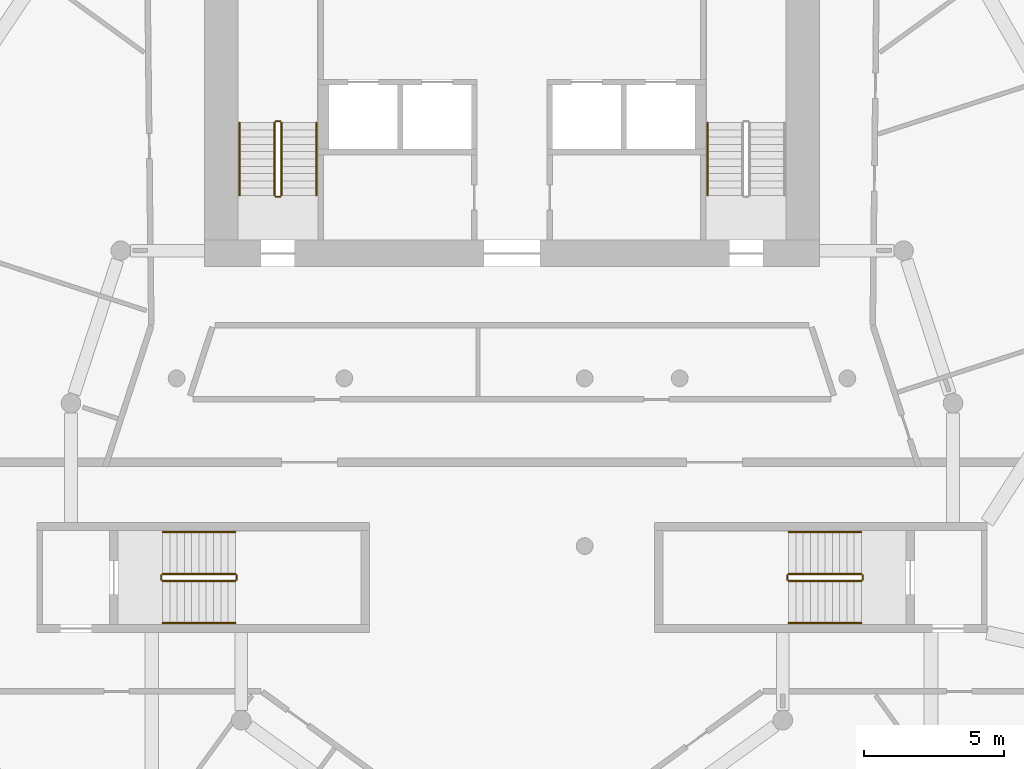
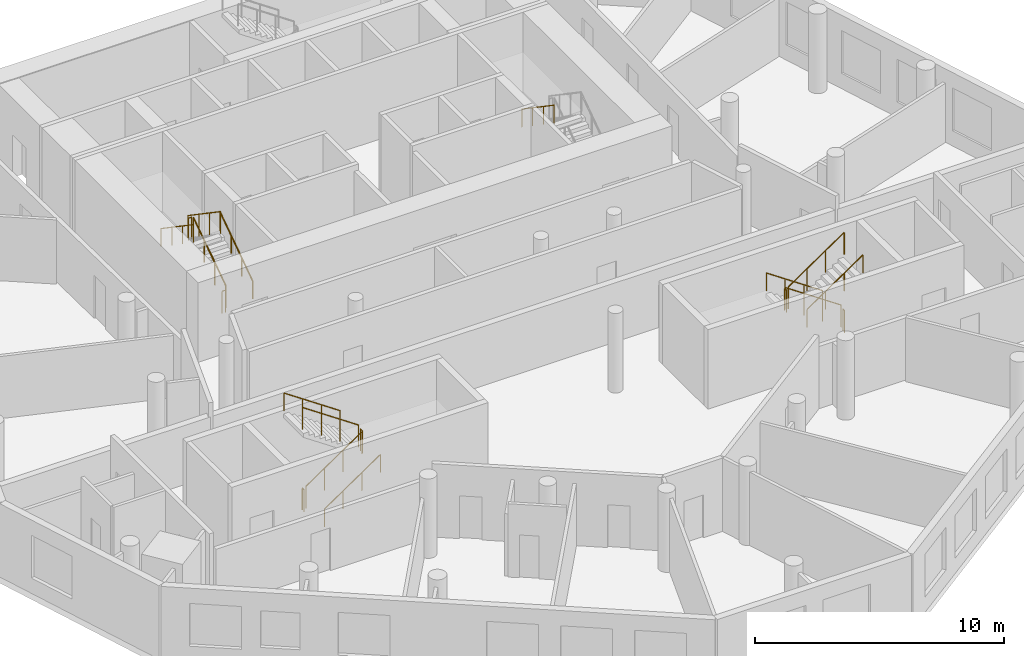
# One storey, part 7 of 8: 19 railings.
"""IFC4 building model written with IfcOpenShell, lengths in metres."""

from ifc_helpers import new_model, si_unit, direction, frame, origin, origin_2d, place, context, subcontext, project, spatial, circle, extrude, material, type_object, element, save


model = new_model("IFC4")

# Units and contexts
model_context = context("Model", 3, precision=1e-05, world=origin(), true_north=direction((0.0, 1.0)))
body_context = subcontext(model_context, "Body", "Model", "MODEL_VIEW")
ifc_project = project(units=[si_unit("LENGTHUNIT", "METRE"), si_unit("AREAUNIT", "SQUARE_METRE"), si_unit("VOLUMEUNIT", "CUBIC_METRE"), si_unit("PLANEANGLEUNIT", "RADIAN"), si_unit("MASSUNIT", "GRAM", prefix="KILO")], contexts=[model_context])

# Site, building, storey
site_placement = place(None, origin())
site = spatial("IfcSite", under=ifc_project, at=site_placement, CompositionType="ELEMENT")
building_placement = place(site_placement, origin())
building = spatial("IfcBuilding", under=site, at=building_placement, Name="White Candle Pilgrim Tower", CompositionType="ELEMENT")
storey_placement = place(building_placement, frame((0.0, 0.0, 152.5)))
storey = spatial("IfcBuildingStorey", under=building, at=storey_placement, Name="L34", CompositionType="ELEMENT", Elevation=152.5)

# Railings
ifc_material = material(Name="Stainless steel", Category="steel")
railing_type_1 = type_object("IfcRailingType", Name="Stair guard stainless steel 1100 mm", PredefinedType="GUARDRAIL", material=ifc_material)
railing_1_placement = place(storey_placement, frame((61.75, 73.550048828125, 0.17724609375)))
element("IfcRailing", 1, at=railing_1_placement, inside=storey, type_object=railing_type_1, Name="L34 ST1 stair guard 1", PredefinedType="GUARDRAIL", context=body_context, shape_type="SweptSolid", body=[
    extrude(circle(Radius=0.02392578125, at=origin_2d()), frame((0.0, 0.0, 1.076171875), z_axis=(0.0, 0.826215852431, 0.563353676824), x_axis=(-1.0, 0.0, 0.0)), (0.0, 0.0, 1.0), 3.146728515625),
    extrude(circle(Radius=0.02099609375, at=origin_2d()), origin(), (0.0, 0.0, 1.0), 1.052001953125),
    extrude(circle(Radius=0.02099609375, at=origin_2d()), frame((0.0, 0.86669921875, 0.5908203125)), (0.0, 0.0, 1.0), 1.052001953125),
    extrude(circle(Radius=0.02099609375, at=origin_2d()), frame((0.0, 1.733154296875, 1.181884765625)), (0.0, 0.0, 1.0), 1.052001953125),
    extrude(circle(Radius=0.02099609375, at=origin_2d()), frame((0.0, 2.599853515625, 1.772705078125)), (0.0, 0.0, 1.0), 1.052001953125),
])
railing_2_placement = place(storey_placement, frame((61.699951171875, 76.199951171875, 1.949951171875)))
element("IfcRailing", 2, at=railing_2_placement, inside=storey, type_object=railing_type_1, Name="L34 ST1 stair guard 2", PredefinedType="GUARDRAIL", context=body_context, shape_type="SweptSolid", body=[
    extrude(circle(Radius=0.02392578125, at=origin_2d()), frame((0.0, 0.0, 1.076171875), z_axis=(-1.0, 0.0, 0.0), x_axis=(0.0, -1.0, 0.0)), (0.0, 0.0, 1.0), 0.14990234375),
    extrude(circle(Radius=0.02099609375, at=origin_2d()), origin(), (0.0, 0.0, 1.0), 1.052001953125),
    extrude(circle(Radius=0.02099609375, at=origin_2d()), frame((-0.14990234375, 0.0, 0.0)), (0.0, 0.0, 1.0), 1.052001953125),
])
railing_3_placement = place(storey_placement, frame((61.5, 76.14990234375, 2.127197265625)))
element("IfcRailing", 3, at=railing_3_placement, inside=storey, type_object=railing_type_1, Name="L34 ST1 stair guard 3", PredefinedType="GUARDRAIL", context=body_context, shape_type="SweptSolid", body=[
    extrude(circle(Radius=0.02392578125, at=origin_2d()), frame((0.0, 0.0, 1.076171875), z_axis=(0.0, -0.826215852431, 0.563353676824), x_axis=(1.0, 0.0, 0.0)), (0.0, 0.0, 1.0), 3.146728515625),
    extrude(circle(Radius=0.02099609375, at=origin_2d()), origin(), (0.0, 0.0, 1.0), 1.052001953125),
    extrude(circle(Radius=0.02099609375, at=origin_2d()), frame((0.0, -0.86669921875, 0.5908203125)), (0.0, 0.0, 1.0), 1.052001953125),
    extrude(circle(Radius=0.02099609375, at=origin_2d()), frame((0.0, -1.733154296875, 1.181884765625)), (0.0, 0.0, 1.0), 1.052001953125),
    extrude(circle(Radius=0.02099609375, at=origin_2d()), frame((0.0, -2.599853515625, 1.772705078125)), (0.0, 0.0, 1.0), 1.052001953125),
])
railing_4_placement = place(storey_placement, frame((61.699951171875, 73.5, 0.0)))
element("IfcRailing", 4, at=railing_4_placement, inside=storey, type_object=railing_type_1, Name="L34 ST1 stair guard 4", PredefinedType="GUARDRAIL", context=body_context, shape_type="SweptSolid", body=[
    extrude(circle(Radius=0.02392578125, at=origin_2d()), frame((0.0, 0.0, 1.076171875), z_axis=(-1.0, 0.0, 0.0), x_axis=(0.0, -1.0, 0.0)), (0.0, 0.0, 1.0), 0.14990234375),
    extrude(circle(Radius=0.02099609375, at=origin_2d()), origin(), (0.0, 0.0, 1.0), 1.052001953125),
    extrude(circle(Radius=0.02099609375, at=origin_2d()), frame((-0.14990234375, 0.0, 0.0)), (0.0, 0.0, 1.0), 1.052001953125),
])
railing_5_placement = place(storey_placement, frame((82.5, 60.0, 0.17724609375)))
element("IfcRailing", 5, at=railing_5_placement, inside=storey, type_object=railing_type_1, Name="L34 ST4 stair guard 1", PredefinedType="GUARDRAIL", context=body_context, shape_type="SweptSolid", body=[
    extrude(circle(Radius=0.02392578125, at=origin_2d()), frame((0.0, 0.0, 1.076171875), z_axis=(-0.826240473404, 0.0, 0.563317565952), x_axis=(0.0, -1.0, 0.0)), (0.0, 0.0, 1.0), 3.14697265625),
    extrude(circle(Radius=0.02099609375, at=origin_2d()), origin(), (0.0, 0.0, 1.0), 1.052001953125),
    extrude(circle(Radius=0.02099609375, at=origin_2d()), frame((-0.86669921875, 0.0, 0.5908203125)), (0.0, 0.0, 1.0), 1.052001953125),
    extrude(circle(Radius=0.02099609375, at=origin_2d()), frame((-1.7333984375, 0.0, 1.181884765625)), (0.0, 0.0, 1.0), 1.052001953125),
    extrude(circle(Radius=0.02099609375, at=origin_2d()), frame((-2.60009765625, 0.0, 1.772705078125)), (0.0, 0.0, 1.0), 1.052001953125),
])
railing_6_placement = place(storey_placement, frame((79.85009765625, 59.949951171875, 1.949951171875)))
element("IfcRailing", 6, at=railing_6_placement, inside=storey, type_object=railing_type_1, Name="L34 ST4 stair guard 2", PredefinedType="GUARDRAIL", context=body_context, shape_type="SweptSolid", body=[
    extrude(circle(Radius=0.02392578125, at=origin_2d()), frame((0.0, 0.0, 1.076171875), z_axis=(0.0, -1.0, 0.0), x_axis=(1.0, 0.0, 0.0)), (0.0, 0.0, 1.0), 0.14990234375),
    extrude(circle(Radius=0.02099609375, at=origin_2d()), origin(), (0.0, 0.0, 1.0), 1.052001953125),
    extrude(circle(Radius=0.02099609375, at=origin_2d()), frame((0.0, -0.14990234375, 0.0)), (0.0, 0.0, 1.0), 1.052001953125),
])
railing_7_placement = place(storey_placement, frame((79.89990234375, 59.75, 2.127197265625)))
element("IfcRailing", 7, at=railing_7_placement, inside=storey, type_object=railing_type_1, Name="L34 ST4 stair guard 3", PredefinedType="GUARDRAIL", context=body_context, shape_type="SweptSolid", body=[
    extrude(circle(Radius=0.02392578125, at=origin_2d()), frame((0.0, 0.0, 1.076171875), z_axis=(0.826240473404, 0.0, 0.563317565952), x_axis=(0.0, 1.0, 0.0)), (0.0, 0.0, 1.0), 3.14697265625),
    extrude(circle(Radius=0.02099609375, at=origin_2d()), origin(), (0.0, 0.0, 1.0), 1.052001953125),
    extrude(circle(Radius=0.02099609375, at=origin_2d()), frame((0.86669921875, 0.0, 0.5908203125)), (0.0, 0.0, 1.0), 1.052001953125),
    extrude(circle(Radius=0.02099609375, at=origin_2d()), frame((1.7333984375, 0.0, 1.181884765625)), (0.0, 0.0, 1.0), 1.052001953125),
    extrude(circle(Radius=0.02099609375, at=origin_2d()), frame((2.60009765625, 0.0, 1.772705078125)), (0.0, 0.0, 1.0), 1.052001953125),
])
railing_8_placement = place(storey_placement, frame((82.550048828125, 59.949951171875, 0.0)))
element("IfcRailing", 8, at=railing_8_placement, inside=storey, type_object=railing_type_1, Name="L34 ST4 stair guard 4", PredefinedType="GUARDRAIL", context=body_context, shape_type="SweptSolid", body=[
    extrude(circle(Radius=0.02392578125, at=origin_2d()), frame((0.0, 0.0, 1.076171875), z_axis=(0.0, -1.0, 0.0), x_axis=(1.0, 0.0, 0.0)), (0.0, 0.0, 1.0), 0.14990234375),
    extrude(circle(Radius=0.02099609375, at=origin_2d()), origin(), (0.0, 0.0, 1.0), 1.052001953125),
    extrude(circle(Radius=0.02099609375, at=origin_2d()), frame((0.0, -0.14990234375, 0.0)), (0.0, 0.0, 1.0), 1.052001953125),
])
railing_9_placement = place(storey_placement, frame((57.5, 59.75, 0.17724609375)))
element("IfcRailing", 9, at=railing_9_placement, inside=storey, type_object=railing_type_1, Name="L34 ST5 stair guard 1", PredefinedType="GUARDRAIL", context=body_context, shape_type="SweptSolid", body=[
    extrude(circle(Radius=0.02392578125, at=origin_2d()), frame((0.0, 0.0, 1.076171875), z_axis=(0.826240473404, 0.0, 0.563317565952), x_axis=(0.0, 1.0, 0.0)), (0.0, 0.0, 1.0), 3.14697265625),
    extrude(circle(Radius=0.02099609375, at=origin_2d()), origin(), (0.0, 0.0, 1.0), 1.052001953125),
    extrude(circle(Radius=0.02099609375, at=origin_2d()), frame((0.86669921875, 0.0, 0.5908203125)), (0.0, 0.0, 1.0), 1.052001953125),
    extrude(circle(Radius=0.02099609375, at=origin_2d()), frame((1.7333984375, 0.0, 1.181884765625)), (0.0, 0.0, 1.0), 1.052001953125),
    extrude(circle(Radius=0.02099609375, at=origin_2d()), frame((2.60009765625, 0.0, 1.772705078125)), (0.0, 0.0, 1.0), 1.052001953125),
])
railing_10_placement = place(storey_placement, frame((60.14990234375, 59.800048828125, 1.949951171875)))
element("IfcRailing", 10, at=railing_10_placement, inside=storey, type_object=railing_type_1, Name="L34 ST5 stair guard 2", PredefinedType="GUARDRAIL", context=body_context, shape_type="SweptSolid", body=[
    extrude(circle(Radius=0.02392578125, at=origin_2d()), frame((0.0, 0.0, 1.076171875), z_axis=(0.0, 1.0, 0.0), x_axis=(-1.0, 0.0, 0.0)), (0.0, 0.0, 1.0), 0.14990234375),
    extrude(circle(Radius=0.02099609375, at=origin_2d()), origin(), (0.0, 0.0, 1.0), 1.052001953125),
    extrude(circle(Radius=0.02099609375, at=origin_2d()), frame((0.0, 0.14990234375, 0.0)), (0.0, 0.0, 1.0), 1.052001953125),
])
railing_11_placement = place(storey_placement, frame((60.10009765625, 60.0, 2.127197265625)))
element("IfcRailing", 11, at=railing_11_placement, inside=storey, type_object=railing_type_1, Name="L34 ST5 stair guard 3", PredefinedType="GUARDRAIL", context=body_context, shape_type="SweptSolid", body=[
    extrude(circle(Radius=0.02392578125, at=origin_2d()), frame((0.0, 0.0, 1.076171875), z_axis=(-0.826240473404, 0.0, 0.563317565952), x_axis=(0.0, -1.0, 0.0)), (0.0, 0.0, 1.0), 3.14697265625),
    extrude(circle(Radius=0.02099609375, at=origin_2d()), origin(), (0.0, 0.0, 1.0), 1.052001953125),
    extrude(circle(Radius=0.02099609375, at=origin_2d()), frame((-0.86669921875, 0.0, 0.5908203125)), (0.0, 0.0, 1.0), 1.052001953125),
    extrude(circle(Radius=0.02099609375, at=origin_2d()), frame((-1.7333984375, 0.0, 1.181884765625)), (0.0, 0.0, 1.0), 1.052001953125),
    extrude(circle(Radius=0.02099609375, at=origin_2d()), frame((-2.60009765625, 0.0, 1.772705078125)), (0.0, 0.0, 1.0), 1.052001953125),
])
railing_12_placement = place(storey_placement, frame((57.449951171875, 59.800048828125, 0.0)))
element("IfcRailing", 12, at=railing_12_placement, inside=storey, type_object=railing_type_1, Name="L34 ST5 stair guard 4", PredefinedType="GUARDRAIL", context=body_context, shape_type="SweptSolid", body=[
    extrude(circle(Radius=0.02392578125, at=origin_2d()), frame((0.0, 0.0, 1.076171875), z_axis=(0.0, 1.0, 0.0), x_axis=(-1.0, 0.0, 0.0)), (0.0, 0.0, 1.0), 0.14990234375),
    extrude(circle(Radius=0.02099609375, at=origin_2d()), origin(), (0.0, 0.0, 1.0), 1.052001953125),
    extrude(circle(Radius=0.02099609375, at=origin_2d()), frame((0.0, 0.14990234375, 0.0)), (0.0, 0.0, 1.0), 1.052001953125),
])
railing_type_2 = type_object("IfcRailingType", Name="Stair handrail stainless steel", PredefinedType="HANDRAIL", material=ifc_material)
railing_13_placement = place(storey_placement, frame((63.0, 73.550048828125, 0.17724609375)))
element("IfcRailing", 13, at=railing_13_placement, inside=storey, type_object=railing_type_2, Name="L34 ST1 stair handrail 1", PredefinedType="HANDRAIL", context=body_context, shape_type="SweptSolid", body=[
    extrude(circle(Radius=0.02392578125, at=origin_2d()), frame((0.0, 0.0, 0.8759765625), z_axis=(0.0, 0.826215852431, 0.563353676824), x_axis=(-1.0, 0.0, 0.0)), (0.0, 0.0, 1.0), 3.146728515625),
    extrude(circle(Radius=0.02099609375, at=origin_2d()), origin(), (0.0, 0.0, 1.0), 0.851806640625),
    extrude(circle(Radius=0.02099609375, at=origin_2d()), frame((0.0, 0.86669921875, 0.5908203125)), (0.0, 0.0, 1.0), 0.851806640625),
    extrude(circle(Radius=0.02099609375, at=origin_2d()), frame((0.0, 1.733154296875, 1.181884765625)), (0.0, 0.0, 1.0), 0.851806640625),
    extrude(circle(Radius=0.02099609375, at=origin_2d()), frame((0.0, 2.599853515625, 1.772705078125)), (0.0, 0.0, 1.0), 0.851806640625),
])
for number, where, name in (
    (14, (60.25, 76.14990234375, 2.127197265625), "L34 ST1 stair handrail 2"),
    (15, (77.0, 76.14990234375, 2.127197265625), "L34 ST2 stair handrail 2"),
):
    element("IfcRailing", number, at=place(storey_placement, frame(where)), inside=storey, type_object=railing_type_2, Name=name, PredefinedType="HANDRAIL", context=body_context, shape_type="SweptSolid", body=[
        extrude(circle(Radius=0.02392578125, at=origin_2d()), frame((0.0, 0.0, 0.8759765625), z_axis=(0.0, -0.826215852431, 0.563353676824), x_axis=(1.0, 0.0, 0.0)), (0.0, 0.0, 1.0), 3.146728515625),
        extrude(circle(Radius=0.02099609375, at=origin_2d()), origin(), (0.0, 0.0, 1.0), 0.851806640625),
        extrude(circle(Radius=0.02099609375, at=origin_2d()), frame((0.0, -0.86669921875, 0.5908203125)), (0.0, 0.0, 1.0), 0.851806640625),
        extrude(circle(Radius=0.02099609375, at=origin_2d()), frame((0.0, -1.733154296875, 1.181884765625)), (0.0, 0.0, 1.0), 0.851806640625),
        extrude(circle(Radius=0.02099609375, at=origin_2d()), frame((0.0, -2.599853515625, 1.772705078125)), (0.0, 0.0, 1.0), 0.851806640625),
    ])
railing_14_placement = place(storey_placement, frame((82.5, 61.5, 0.17724609375)))
element("IfcRailing", 16, at=railing_14_placement, inside=storey, type_object=railing_type_2, Name="L34 ST4 stair handrail 1", PredefinedType="HANDRAIL", context=body_context, shape_type="SweptSolid", body=[
    extrude(circle(Radius=0.02392578125, at=origin_2d()), frame((0.0, 0.0, 0.8759765625), z_axis=(-0.826240473404, 0.0, 0.563317565952), x_axis=(0.0, -1.0, 0.0)), (0.0, 0.0, 1.0), 3.14697265625),
    extrude(circle(Radius=0.02099609375, at=origin_2d()), origin(), (0.0, 0.0, 1.0), 0.851806640625),
    extrude(circle(Radius=0.02099609375, at=origin_2d()), frame((-0.86669921875, 0.0, 0.5908203125)), (0.0, 0.0, 1.0), 0.851806640625),
    extrude(circle(Radius=0.02099609375, at=origin_2d()), frame((-1.7333984375, 0.0, 1.181884765625)), (0.0, 0.0, 1.0), 0.851806640625),
    extrude(circle(Radius=0.02099609375, at=origin_2d()), frame((-2.60009765625, 0.0, 1.772705078125)), (0.0, 0.0, 1.0), 0.851806640625),
])
for number, where, name in (
    (17, (79.89990234375, 58.25, 2.127197265625), "L34 ST4 stair handrail 2"),
    (18, (57.5, 58.25, 0.17724609375), "L34 ST5 stair handrail 1"),
):
    element("IfcRailing", number, at=place(storey_placement, frame(where)), inside=storey, type_object=railing_type_2, Name=name, PredefinedType="HANDRAIL", context=body_context, shape_type="SweptSolid", body=[
        extrude(circle(Radius=0.02392578125, at=origin_2d()), frame((0.0, 0.0, 0.8759765625), z_axis=(0.826240473404, 0.0, 0.563317565952), x_axis=(0.0, 1.0, 0.0)), (0.0, 0.0, 1.0), 3.14697265625),
        extrude(circle(Radius=0.02099609375, at=origin_2d()), origin(), (0.0, 0.0, 1.0), 0.851806640625),
        extrude(circle(Radius=0.02099609375, at=origin_2d()), frame((0.86669921875, 0.0, 0.5908203125)), (0.0, 0.0, 1.0), 0.851806640625),
        extrude(circle(Radius=0.02099609375, at=origin_2d()), frame((1.7333984375, 0.0, 1.181884765625)), (0.0, 0.0, 1.0), 0.851806640625),
        extrude(circle(Radius=0.02099609375, at=origin_2d()), frame((2.60009765625, 0.0, 1.772705078125)), (0.0, 0.0, 1.0), 0.851806640625),
    ])
railing_15_placement = place(storey_placement, frame((60.10009765625, 61.5, 2.127197265625)))
element("IfcRailing", 19, at=railing_15_placement, inside=storey, type_object=railing_type_2, Name="L34 ST5 stair handrail 2", PredefinedType="HANDRAIL", context=body_context, shape_type="SweptSolid", body=[
    extrude(circle(Radius=0.02392578125, at=origin_2d()), frame((0.0, 0.0, 0.8759765625), z_axis=(-0.826240473404, 0.0, 0.563317565952), x_axis=(0.0, -1.0, 0.0)), (0.0, 0.0, 1.0), 3.14697265625),
    extrude(circle(Radius=0.02099609375, at=origin_2d()), origin(), (0.0, 0.0, 1.0), 0.851806640625),
    extrude(circle(Radius=0.02099609375, at=origin_2d()), frame((-0.86669921875, 0.0, 0.5908203125)), (0.0, 0.0, 1.0), 0.851806640625),
    extrude(circle(Radius=0.02099609375, at=origin_2d()), frame((-1.7333984375, 0.0, 1.181884765625)), (0.0, 0.0, 1.0), 0.851806640625),
    extrude(circle(Radius=0.02099609375, at=origin_2d()), frame((-2.60009765625, 0.0, 1.772705078125)), (0.0, 0.0, 1.0), 0.851806640625),
])

save(model, "model.ifc")
